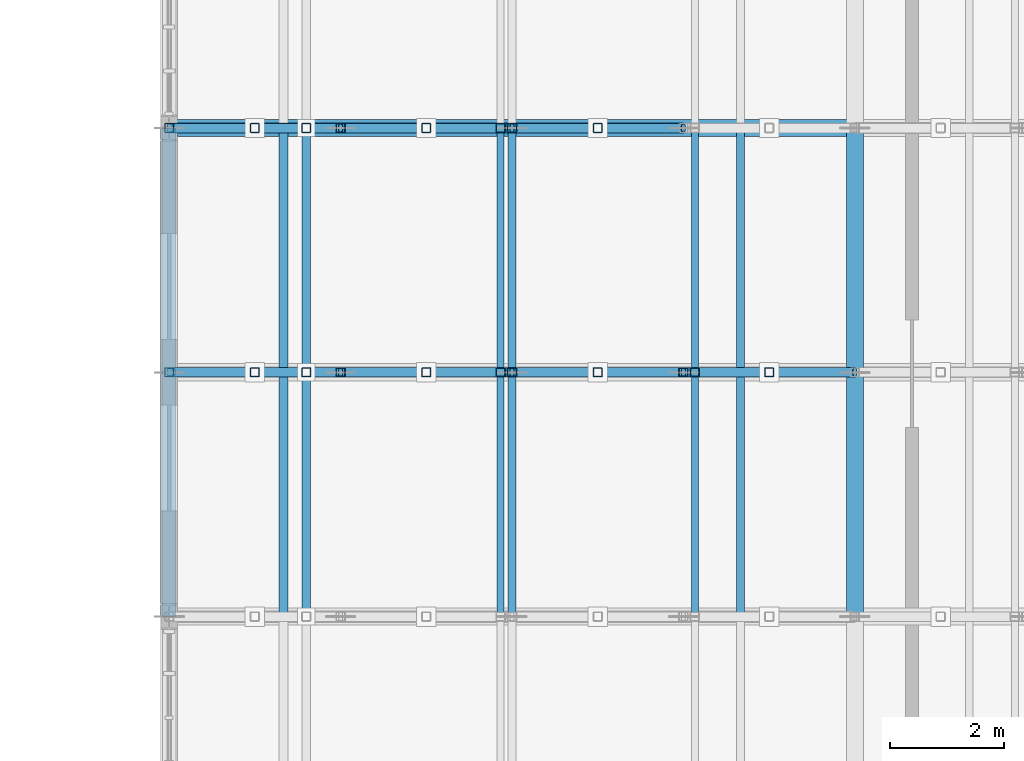
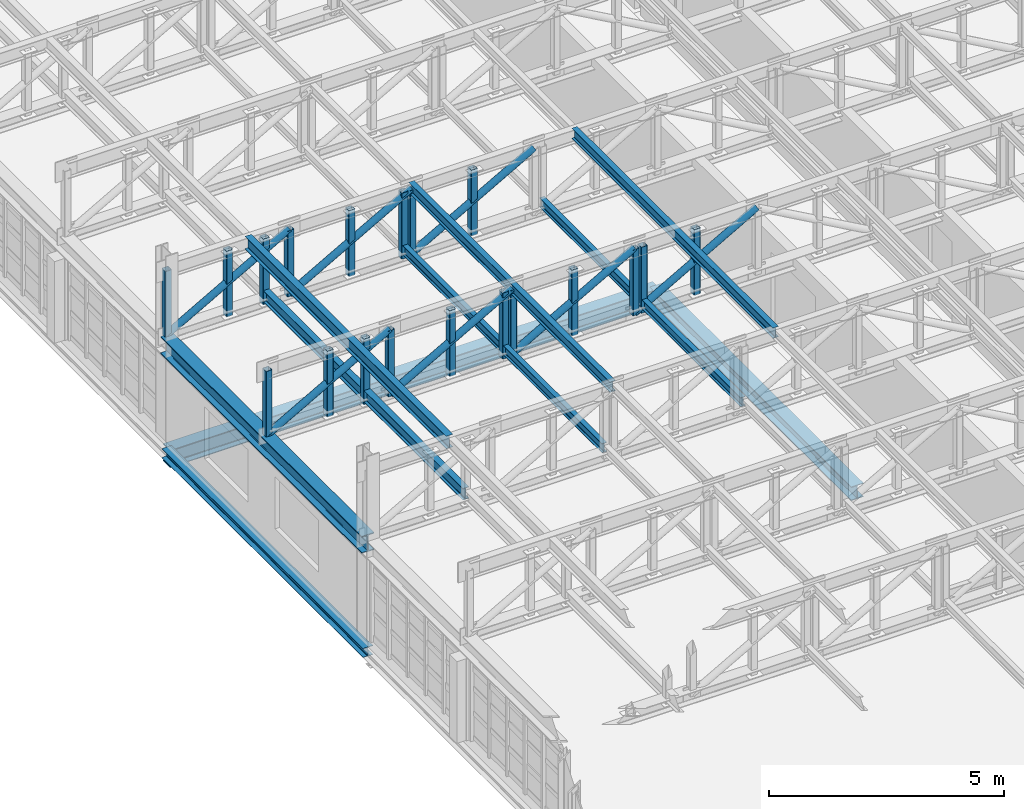
# One storey, part 41 of 128: 32 members, 4 beams.
"""IFC4 building model written with IfcOpenShell, lengths in metres."""

from ifc_helpers import new_model, si_unit, direction, frame, origin, origin_2d, place, context, subcontext, project, spatial, hollow_rectangle, hollow_circle, i_section, extrude, material, material_profile, profile_set, type_object, element, save


model = new_model("IFC4")

# Units and contexts
model_context = context("Model", 3, precision=1e-05, world=origin(), true_north=direction((0.0, 1.0)))
body_context = subcontext(model_context, "Body", "Model", "MODEL_VIEW")
ifc_project = project(units=[si_unit("LENGTHUNIT", "METRE"), si_unit("AREAUNIT", "SQUARE_METRE"), si_unit("VOLUMEUNIT", "CUBIC_METRE"), si_unit("PLANEANGLEUNIT", "RADIAN"), si_unit("MASSUNIT", "GRAM", prefix="KILO")], contexts=[model_context])

# Site, building, storey
site_placement = place(None, origin())
site = spatial("IfcSite", under=ifc_project, at=site_placement, CompositionType="ELEMENT")
building_placement = place(site_placement, origin())
building = spatial("IfcBuilding", under=site, at=building_placement, Name="Serraforn Aerial Cableway Station", CompositionType="ELEMENT")
storey_placement = place(building_placement, frame((0.0, 0.0, 9.0)))
storey = spatial("IfcBuildingStorey", under=building, at=storey_placement, Name="L02", CompositionType="ELEMENT", Elevation=9.0)

# Beams
ifc_material_1 = material(Name="Steel S355JR", Category="steel")
ifc_material_profile_1 = material_profile(ifc_material_1, i_section(OverallWidth=0.239990234375, OverallDepth=0.239990234375, WebThickness=0.007568359375, FlangeThickness=0.011962890625, FilletRadius=0.02099609375, at=origin_2d()), Name="HEA 240")
ifc_profile_set_1 = profile_set([ifc_material_profile_1], Name="Steel S355JR")
beam_type_1 = type_object("IfcBeamType", Name="BM-ST-HEA240", PredefinedType="BEAM", material=ifc_profile_set_1)
beam_1_placement = place(storey_placement, frame((144.0, 71.25, -0.43994140625), z_axis=(0.0, 1.0, 0.0), x_axis=(-1.0, 0.0, 0.0)))
element("IfcBeam", 1, at=beam_1_placement, inside=storey, type_object=beam_type_1, Name="Grid Girder Y EG L02 X1-4", PredefinedType="BEAM", context=body_context, shape_type="SweptSolid", body=[
    extrude(i_section(OverallWidth=0.239990234375, OverallDepth=0.239990234375, WebThickness=0.007568359375, FlangeThickness=0.011962890625, FilletRadius=0.02099609375, at=origin_2d()), origin(), (0.0, 0.0, 1.0), 8.550048828125),
])
ifc_material_profile_2 = material_profile(ifc_material_1, i_section(OverallWidth=0.300048828125, OverallDepth=0.360107421875, WebThickness=0.010009765625, FlangeThickness=0.017578125, FilletRadius=0.027099609375, at=origin_2d()), Name="HEA 360")
ifc_profile_set_2 = profile_set([ifc_material_profile_2], Name="Steel S355JR")
beam_type_2 = type_object("IfcBeamType", Name="BM-ST-HEA360", PredefinedType="BEAM", material=ifc_profile_set_2)
beam_2_placement = place(storey_placement, frame((156.0, 71.25, -0.5), z_axis=(0.0, 1.0, 0.0), x_axis=(-1.0, 0.0, 0.0)))
element("IfcBeam", 2, at=beam_2_placement, inside=storey, type_object=beam_type_2, Name="Grid Girder Y EG L02 X2-4", PredefinedType="BEAM", context=body_context, shape_type="SweptSolid", body=[
    extrude(i_section(OverallWidth=0.300048828125, OverallDepth=0.360107421875, WebThickness=0.010009765625, FlangeThickness=0.017578125, FilletRadius=0.027099609375, at=origin_2d()), origin(), (0.0, 0.0, 1.0), 8.550048828125),
])
ifc_material_profile_3 = material_profile(ifc_material_1, i_section(OverallWidth=0.300048828125, OverallDepth=0.449951171875, WebThickness=0.011474609375, FlangeThickness=0.02099609375, FilletRadius=0.027099609375, at=origin_2d()), Name="HEA 450")
ifc_profile_set_3 = profile_set([ifc_material_profile_3], Name="Steel S355JR")
beam_type_3 = type_object("IfcBeamType", Name="BM-ST-HEA450", PredefinedType="USERDEFINED", material=ifc_profile_set_3)
beam_3_placement = place(storey_placement, frame((144.0, 79.800048828125, -0.544921875), z_axis=(1.0, 0.0, 0.0), x_axis=(0.0, 1.0, 0.0)))
element("IfcBeam", 3, at=beam_3_placement, inside=storey, type_object=beam_type_3, Name="Grid Girder X EG L02 Y5-1", ObjectType="GIRDER", PredefinedType="USERDEFINED", context=body_context, shape_type="SweptSolid", body=[
    extrude(i_section(OverallWidth=0.300048828125, OverallDepth=0.449951171875, WebThickness=0.011474609375, FlangeThickness=0.02099609375, FilletRadius=0.027099609375, at=origin_2d()), origin(), (0.0, 0.0, 1.0), 12.0),
])
ifc_material_2 = material(Name="Steel S355J2", Category="steel")
ifc_material_profile_4 = material_profile(ifc_material_2, i_section(OverallWidth=0.300048828125, OverallDepth=0.449951171875, WebThickness=0.013916015625, FlangeThickness=0.02587890625, FilletRadius=0.027099609375, at=origin_2d()), Name="HEB 450")
ifc_profile_set_4 = profile_set([ifc_material_profile_4], Name="Steel S355J2")
beam_type_4 = type_object("IfcBeamType", Name="BM-ST-HEB450", PredefinedType="USERDEFINED", material=ifc_profile_set_4)
beam_4_placement = place(storey_placement, frame((144.0, 71.25, 2.375), z_axis=(0.0, 1.0, 0.0), x_axis=(-1.0, 0.0, 0.0)))
element("IfcBeam", 4, at=beam_4_placement, inside=storey, type_object=beam_type_4, Name="Garage Truss Support Girder W-4", ObjectType="GIRDER", PredefinedType="USERDEFINED", context=body_context, shape_type="SweptSolid", body=[
    extrude(i_section(OverallWidth=0.300048828125, OverallDepth=0.449951171875, WebThickness=0.013916015625, FlangeThickness=0.02587890625, FilletRadius=0.027099609375, at=origin_2d()), origin(), (0.0, 0.0, 1.0), 8.550048828125),
])

# Members
ifc_material_profile_5 = material_profile(ifc_material_2, hollow_circle(Radius=0.084228515625, WallThickness=0.008056640625, at=origin_2d()), Name="CHS 168.3x8.0")
ifc_profile_set_5 = profile_set([ifc_material_profile_5], Name="Steel S355J2")
member_type_1 = type_object("IfcMemberType", Name="MEM-DG-CHS168", PredefinedType="BRACE", material=ifc_profile_set_5)
for number, where, z_axis, x_axis, name in (
    (5, (144.0, 75.52490234375, 2.60009765625), (0.871272396707, 0.0, 0.490799766439), (0.0, 1.0, 0.0), "Garage Truss GT-06 Diagonal 1"),
    (6, (147.0, 75.52490234375, 2.60009765625), (0.871272396707, 0.0, 0.490799766439), (0.0, 1.0, 0.0), "Garage Truss GT-06 Diagonal 2"),
    (7, (150.0, 75.52490234375, 2.60009765625), (0.871272396707, 0.0, 0.490799766439), (0.0, 1.0, 0.0), "Garage Truss GT-06 Diagonal 3"),
    (8, (153.0, 75.52490234375, 2.60009765625), (0.871272396707, 0.0, 0.490799766439), (0.0, 1.0, 0.0), "Garage Truss GT-06 Diagonal 4"),
    (9, (144.0, 79.800048828125, 2.60009765625), (0.871272396707, 0.0, 0.490799766439), (0.0, 1.0, 0.0), "Garage Truss GT-07 Diagonal 1"),
    (10, (147.0, 79.800048828125, 2.60009765625), (0.871272396707, 0.0, 0.490799766439), (0.0, 1.0, 0.0), "Garage Truss GT-07 Diagonal 2"),
    (11, (150.0, 79.800048828125, 2.60009765625), (0.871272396707, 0.0, 0.490799766439), (0.0, 1.0, 0.0), "Garage Truss GT-07 Diagonal 3"),
):
    element("IfcMember", number, at=place(storey_placement, frame(where, z_axis=z_axis, x_axis=x_axis)), inside=storey, type_object=member_type_1, Name=name, PredefinedType="BRACE", context=body_context, shape_type="SweptSolid", body=[
        extrude(hollow_circle(Radius=0.084228515625, WallThickness=0.008056640625, at=origin_2d()), origin(), (0.0, 0.0, 1.0), 3.443359375),
    ])
ifc_material_profile_6 = material_profile(ifc_material_1, i_section(OverallWidth=0.135009765625, OverallDepth=0.27001953125, WebThickness=0.006591796875, FlangeThickness=0.01025390625, FilletRadius=0.014892578125, at=origin_2d()), Name="IPE 270")
ifc_profile_set_6 = profile_set([ifc_material_profile_6], Name="Steel S355JR")
member_type_2 = type_object("IfcMemberType", Name="MEM-PR-IPE270", PredefinedType="PURLIN", material=ifc_profile_set_6)
for number, where, z_axis, x_axis, name in (
    (12, (150.0, 71.25, 4.3349609375), (0.0, 1.0, 0.0), (-1.0, 0.0, 0.0), "Fleet Garage Roof Purlin 4-2"),
    (13, (154.0, 71.25, 4.3349609375), (0.0, 1.0, 0.0), (-1.0, 0.0, 0.0), "Fleet Garage Roof Purlin 4-3"),
):
    element("IfcMember", number, at=place(storey_placement, frame(where, z_axis=z_axis, x_axis=x_axis)), inside=storey, type_object=member_type_2, Name=name, PredefinedType="PURLIN", context=body_context, shape_type="SweptSolid", body=[
        extrude(i_section(OverallWidth=0.135009765625, OverallDepth=0.27001953125, WebThickness=0.006591796875, FlangeThickness=0.01025390625, FilletRadius=0.014892578125, at=origin_2d()), origin(), (0.0, 0.0, 1.0), 8.550048828125),
    ])
ifc_material_profile_7 = material_profile(ifc_material_1, i_section(OverallWidth=0.159912109375, OverallDepth=0.330078125, WebThickness=0.007568359375, FlangeThickness=0.011474609375, FilletRadius=0.01806640625, at=origin_2d()), Name="IPE 330")
ifc_profile_set_7 = profile_set([ifc_material_profile_7], Name="Steel S355JR")
member_type_3 = type_object("IfcMemberType", Name="MEM-PR-IPE330", PredefinedType="PURLIN", material=ifc_profile_set_7)
member_1_placement = place(storey_placement, frame((146.0, 71.25, 4.304931640625), z_axis=(0.0, 1.0, 0.0), x_axis=(-1.0, 0.0, 0.0)))
element("IfcMember", 14, at=member_1_placement, inside=storey, type_object=member_type_3, Name="Fleet Garage Roof Purlin 4-1", PredefinedType="PURLIN", context=body_context, shape_type="SweptSolid", body=[
    extrude(i_section(OverallWidth=0.159912109375, OverallDepth=0.330078125, WebThickness=0.007568359375, FlangeThickness=0.011474609375, FilletRadius=0.01806640625, at=origin_2d()), origin(), (0.0, 0.0, 1.0), 8.550048828125),
])
ifc_material_profile_8 = material_profile(ifc_material_2, i_section(OverallWidth=0.1201171875, OverallDepth=0.239990234375, WebThickness=0.006103515625, FlangeThickness=0.009765625, FilletRadius=0.014892578125, at=origin_2d()), Name="IPE 240")
ifc_profile_set_8 = profile_set([ifc_material_profile_8], Name="Steel S355J2")
member_type_4 = type_object("IfcMemberType", Name="MEM-RL-IPE240", PredefinedType="USERDEFINED", material=ifc_profile_set_8)
for number, where, z_axis, x_axis, name in (
    (15, (149.800048828125, 71.25, 2.820068359375), (0.0, 1.0, 0.0), (-1.0, 0.0, 0.0), "Overhead Cabin Storage Track Rail 2-3"),
    (16, (153.199951171875, 71.25, 2.820068359375), (0.0, 1.0, 0.0), (-1.0, 0.0, 0.0), "Overhead Cabin Storage Track Rail 3-3"),
):
    element("IfcMember", number, at=place(storey_placement, frame(where, z_axis=z_axis, x_axis=x_axis)), inside=storey, type_object=member_type_4, Name=name, ObjectType="OVERHEAD TRACK RAIL", PredefinedType="USERDEFINED", context=body_context, shape_type="SweptSolid", body=[
        extrude(i_section(OverallWidth=0.1201171875, OverallDepth=0.239990234375, WebThickness=0.006103515625, FlangeThickness=0.009765625, FilletRadius=0.014892578125, at=origin_2d()), origin(), (0.0, 0.0, 1.0), 8.550048828125),
    ])
ifc_material_profile_9 = material_profile(ifc_material_2, i_section(OverallWidth=0.14990234375, OverallDepth=0.300048828125, WebThickness=0.007080078125, FlangeThickness=0.0107421875, FilletRadius=0.014892578125, at=origin_2d()), Name="IPE 300")
ifc_profile_set_9 = profile_set([ifc_material_profile_9], Name="Steel S355J2")
member_type_5 = type_object("IfcMemberType", Name="MEM-RL-IPE300", PredefinedType="USERDEFINED", material=ifc_profile_set_9)
member_2_placement = place(storey_placement, frame((146.39990234375, 71.25, 2.820068359375), z_axis=(0.0, 1.0, 0.0), x_axis=(-1.0, 0.0, 0.0)))
element("IfcMember", 17, at=member_2_placement, inside=storey, type_object=member_type_5, Name="Overhead Cabin Storage Track Rail 1-3", ObjectType="OVERHEAD TRACK RAIL", PredefinedType="USERDEFINED", context=body_context, shape_type="SweptSolid", body=[
    extrude(i_section(OverallWidth=0.14990234375, OverallDepth=0.300048828125, WebThickness=0.007080078125, FlangeThickness=0.0107421875, FilletRadius=0.014892578125, at=origin_2d()), origin(), (0.0, 0.0, 1.0), 8.550048828125),
])
ifc_material_profile_10 = material_profile(ifc_material_2, hollow_rectangle(XDim=0.159912109375, YDim=0.159912109375, WallThickness=0.008056640625, InnerFilletRadius=0.008056640625, OuterFilletRadius=0.01611328125, at=origin_2d()), Name="SHS 160x160x8.0")
ifc_profile_set_10 = profile_set([ifc_material_profile_10], Name="Steel S355J2")
member_type_6 = type_object("IfcMemberType", Name="MEM-VP-SHS160", PredefinedType="STRUT", material=ifc_profile_set_10)
for number, where, z_axis, x_axis, name in (
    (18, (144.0, 75.52490234375, 2.590087890625), (0.0, 0.0, 1.0), (1.0, 0.0, 0.0), "Garage Truss GT-06 Post 1"),
    (19, (147.0, 75.52490234375, 2.590087890625), (0.0, 0.0, 1.0), (1.0, 0.0, 0.0), "Garage Truss GT-06 Post 2"),
    (20, (150.0, 75.52490234375, 2.590087890625), (0.0, 0.0, 1.0), (1.0, 0.0, 0.0), "Garage Truss GT-06 Post 3"),
    (21, (153.0, 75.52490234375, 2.590087890625), (0.0, 0.0, 1.0), (1.0, 0.0, 0.0), "Garage Truss GT-06 Post 4"),
    (22, (144.0, 79.800048828125, 2.590087890625), (0.0, 0.0, 1.0), (1.0, 0.0, 0.0), "Garage Truss GT-07 Post 1"),
    (23, (147.0, 79.800048828125, 2.590087890625), (0.0, 0.0, 1.0), (1.0, 0.0, 0.0), "Garage Truss GT-07 Post 2"),
    (24, (150.0, 79.800048828125, 2.590087890625), (0.0, 0.0, 1.0), (1.0, 0.0, 0.0), "Garage Truss GT-07 Post 3"),
    (25, (146.39990234375, 75.52490234375, 2.590087890625), (0.0, 0.0, 1.0), (1.0, 0.0, 0.0), "Overhead Rail Suspension Post 025"),
    (26, (149.800048828125, 75.52490234375, 2.590087890625), (0.0, 0.0, 1.0), (1.0, 0.0, 0.0), "Overhead Rail Suspension Post 026"),
    (27, (153.199951171875, 75.52490234375, 2.590087890625), (0.0, 0.0, 1.0), (1.0, 0.0, 0.0), "Overhead Rail Suspension Post 027"),
    (28, (146.39990234375, 79.800048828125, 2.590087890625), (0.0, 0.0, 1.0), (1.0, 0.0, 0.0), "Overhead Rail Suspension Post 031"),
    (29, (149.800048828125, 79.800048828125, 2.590087890625), (0.0, 0.0, 1.0), (1.0, 0.0, 0.0), "Overhead Rail Suspension Post 032"),
    (30, (145.5, 75.52490234375, 2.590087890625), (0.0, 0.0, 1.0), (1.0, 0.0, 0.0), "Garage Truss GT-06 Sub-Vertical 1"),
    (31, (148.5, 75.52490234375, 2.590087890625), (0.0, 0.0, 1.0), (1.0, 0.0, 0.0), "Garage Truss GT-06 Sub-Vertical 2"),
    (32, (151.5, 75.52490234375, 2.590087890625), (0.0, 0.0, 1.0), (1.0, 0.0, 0.0), "Garage Truss GT-06 Sub-Vertical 3"),
    (33, (154.5, 75.52490234375, 2.590087890625), (0.0, 0.0, 1.0), (1.0, 0.0, 0.0), "Garage Truss GT-06 Sub-Vertical 4"),
    (34, (145.5, 79.800048828125, 2.590087890625), (0.0, 0.0, 1.0), (1.0, 0.0, 0.0), "Garage Truss GT-07 Sub-Vertical 1"),
    (35, (148.5, 79.800048828125, 2.590087890625), (0.0, 0.0, 1.0), (1.0, 0.0, 0.0), "Garage Truss GT-07 Sub-Vertical 2"),
    (36, (151.5, 79.800048828125, 2.590087890625), (0.0, 0.0, 1.0), (1.0, 0.0, 0.0), "Garage Truss GT-07 Sub-Vertical 3"),
):
    element("IfcMember", number, at=place(storey_placement, frame(where, z_axis=z_axis, x_axis=x_axis)), inside=storey, type_object=member_type_6, Name=name, PredefinedType="STRUT", context=body_context, shape_type="SweptSolid", body=[
        extrude(hollow_rectangle(XDim=0.159912109375, YDim=0.159912109375, WallThickness=0.008056640625, InnerFilletRadius=0.008056640625, OuterFilletRadius=0.01611328125, at=origin_2d()), origin(), (0.0, 0.0, 1.0), 1.7099609375),
    ])

save(model, "model.ifc")
